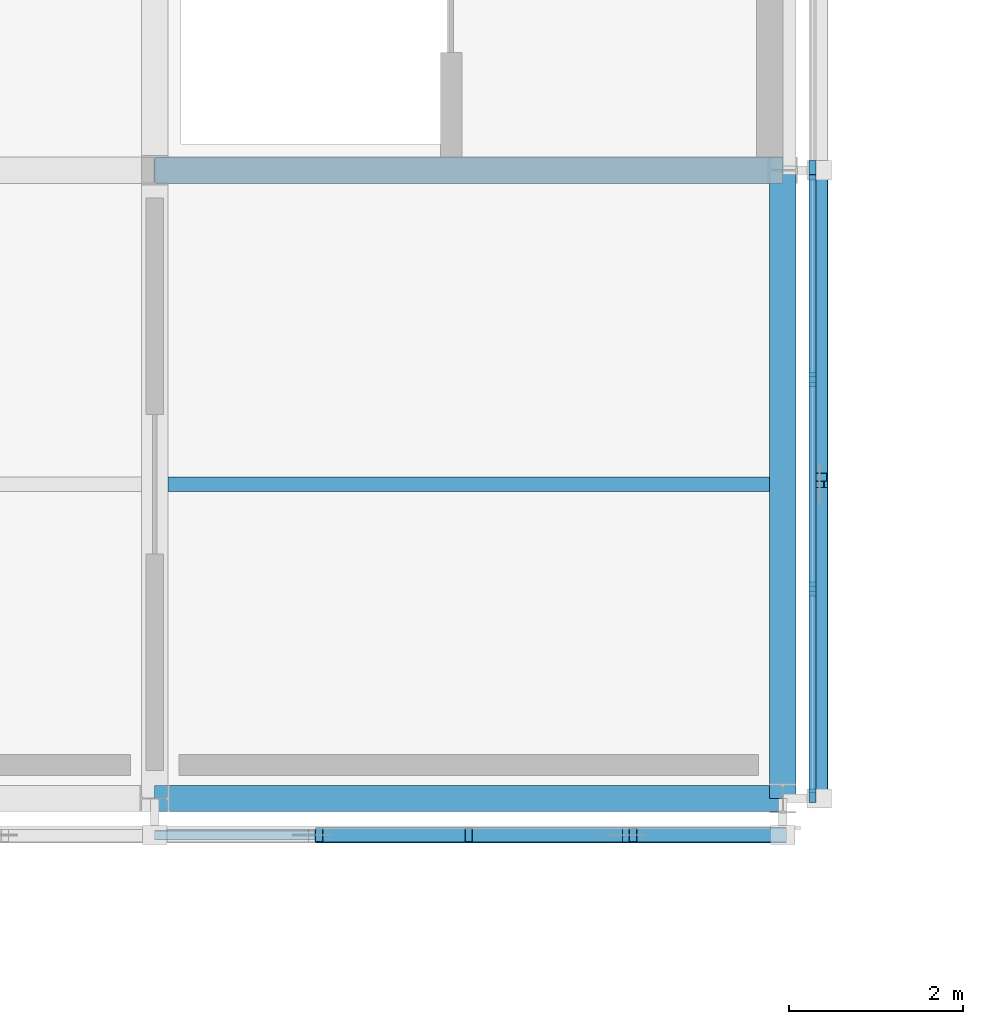
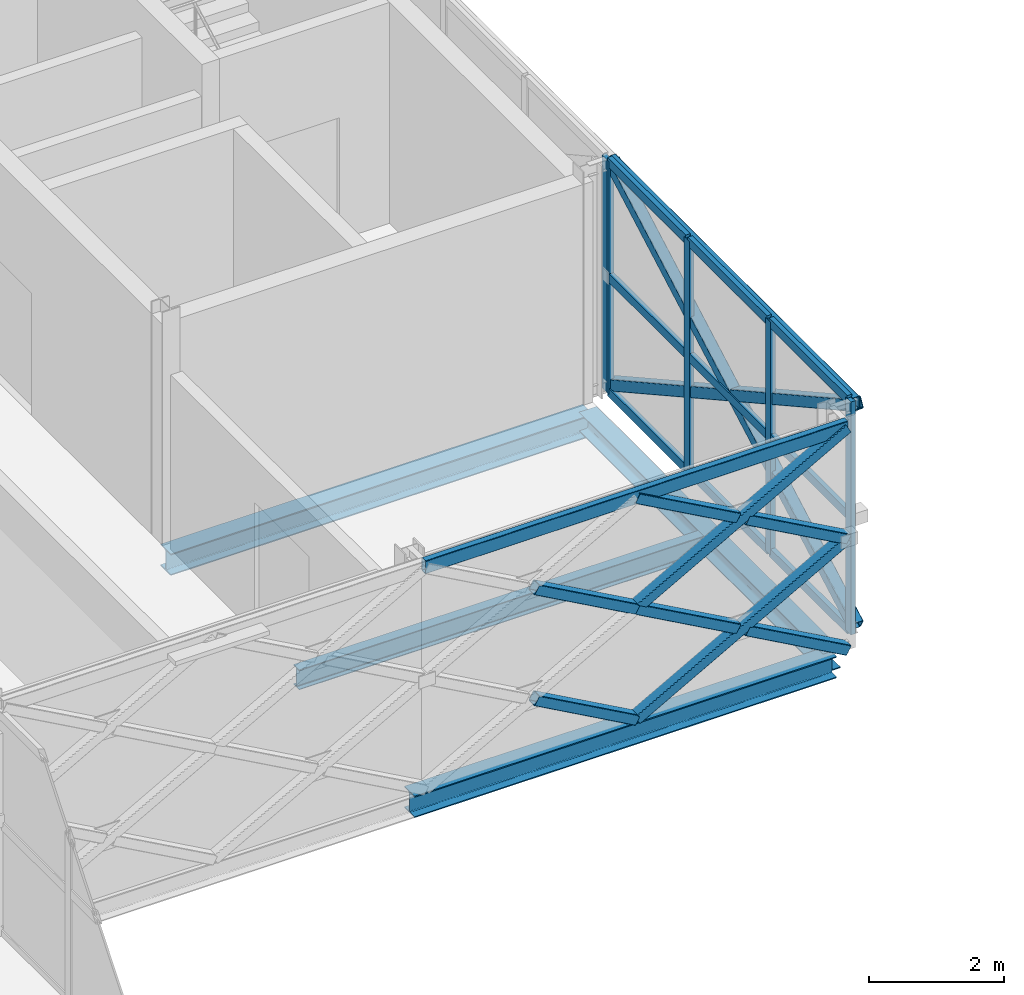
# One storey, part 37 of 146: 27 members, 4 beams, 2 elements without a shape of their own.
"""IFC4 building model written with IfcOpenShell, lengths in metres."""

from ifc_helpers import new_model, si_unit, direction, frame, origin, origin_2d, place, context, subcontext, project, spatial, rectangle, hollow_rectangle, i_section, extrude, material, material_profile, profile_set, type_object, element, aggregate, save


model = new_model("IFC4")

# Units and contexts
model_context = context("Model", 3, precision=1e-05, world=origin(), true_north=direction((0.0, 1.0)))
body_context = subcontext(model_context, "Body", "Model", "MODEL_VIEW")
ifc_project = project(units=[si_unit("LENGTHUNIT", "METRE"), si_unit("AREAUNIT", "SQUARE_METRE"), si_unit("VOLUMEUNIT", "CUBIC_METRE"), si_unit("PLANEANGLEUNIT", "RADIAN"), si_unit("MASSUNIT", "GRAM", prefix="KILO")], contexts=[model_context])

# Site, building, storey
site_placement = place(None, origin())
site = spatial("IfcSite", under=ifc_project, at=site_placement, CompositionType="ELEMENT")
building_placement = place(site_placement, origin())
building = spatial("IfcBuilding", under=site, at=building_placement, Name="Zlatovets Crest Museum", CompositionType="ELEMENT")
storey_placement = place(building_placement, frame((0.0, 0.0, 4.5)))
storey = spatial("IfcBuildingStorey", under=building, at=storey_placement, Name="L01", CompositionType="ELEMENT", Elevation=4.5)

# Beams
ifc_material_1 = material(Name="Structural steel S355J2", Category="steel")
ifc_material_profile_1 = material_profile(ifc_material_1, i_section(OverallWidth=0.300048828125, OverallDepth=0.389892578125, WebThickness=0.010986328125, FlangeThickness=0.01904296875, FilletRadius=0.027099609375, at=origin_2d()), Name="HEA 400")
ifc_profile_set_1 = profile_set([ifc_material_profile_1], Name="Structural steel S355J2")
beam_type_1 = type_object("IfcBeamType", Name="Beam_B-02", PredefinedType="BEAM", material=ifc_profile_set_1)
for number, where, z_axis, x_axis, name in (
    (1, (28.800048828125, 50.39990234375, -0.4150390625), (1.0, 0.0, 0.0), (0.0, 1.0, 0.0), "V4 L01 Primary Girder B-02"),
    (2, (28.800048828125, 57.60009765625, -0.4150390625), (1.0, 0.0, 0.0), (0.0, 1.0, 0.0), "V4 L01 Primary Girder B-02"),
):
    element("IfcBeam", number, at=place(storey_placement, frame(where, z_axis=z_axis, x_axis=x_axis)), inside=storey, type_object=beam_type_1, Name=name, PredefinedType="BEAM", context=body_context, shape_type="SweptSolid", body=[
        extrude(i_section(OverallWidth=0.300048828125, OverallDepth=0.389892578125, WebThickness=0.010986328125, FlangeThickness=0.01904296875, FilletRadius=0.027099609375, at=origin_2d()), origin(), (0.0, 0.0, 1.0), 7.199951171875),
    ])
ifc_material_profile_2 = material_profile(ifc_material_1, i_section(OverallWidth=0.300048828125, OverallDepth=0.35009765625, WebThickness=0.010009765625, FlangeThickness=0.017578125, FilletRadius=0.027099609375, at=origin_2d()), Name="HEA 360")
ifc_profile_set_2 = profile_set([ifc_material_profile_2], Name="Structural steel S355J2")
beam_type_2 = type_object("IfcBeamType", Name="Beam_B-03", PredefinedType="BEAM", material=ifc_profile_set_2)
beam_1_placement = place(storey_placement, frame((36.0, 50.39990234375, -0.39501953125), z_axis=(0.0, 1.0, 0.0), x_axis=(-1.0, 0.0, 0.0)))
element("IfcBeam", 3, at=beam_1_placement, inside=storey, type_object=beam_type_2, Name="V4 L01 Grid Beam B-03", PredefinedType="BEAM", context=body_context, shape_type="SweptSolid", body=[
    extrude(i_section(OverallWidth=0.300048828125, OverallDepth=0.35009765625, WebThickness=0.010009765625, FlangeThickness=0.017578125, FilletRadius=0.027099609375, at=origin_2d()), origin(), (0.0, 0.0, 1.0), 7.2001953125),
])
ifc_material_profile_3 = material_profile(ifc_material_1, i_section(OverallWidth=0.169921875, OverallDepth=0.360107421875, WebThickness=0.008056640625, FlangeThickness=0.0126953125, FilletRadius=0.01806640625, at=origin_2d()), Name="IPE 360")
ifc_profile_set_3 = profile_set([ifc_material_profile_3], Name="Structural steel S355J2")
beam_type_3 = type_object("IfcBeamType", Name="Beam_J-01", PredefinedType="JOIST", material=ifc_profile_set_3)
beam_2_placement = place(storey_placement, frame((28.949951171875, 54.0, -0.39990234375), z_axis=(1.0, 0.0, 0.0), x_axis=(0.0, 1.0, 0.0)))
element("IfcBeam", 4, at=beam_2_placement, inside=storey, type_object=beam_type_3, Name="V4 L01 Composite Joist J-01", PredefinedType="JOIST", context=body_context, shape_type="SweptSolid", body=[
    extrude(i_section(OverallWidth=0.169921875, OverallDepth=0.360107421875, WebThickness=0.008056640625, FlangeThickness=0.0126953125, FilletRadius=0.01806640625, at=origin_2d()), origin(), (0.0, 0.0, 1.0), 6.900146484375),
])

# Curtain wall, members
ifc_material_2 = material(Name="Bronze-anodised aluminium and low-E triple glass", Category="aluminium")
curtain_wall_type_1 = type_object("IfcCurtainWallType", Name="CW_CW-V4-L01-M0", PredefinedType="NOTDEFINED", material=ifc_material_2)
curtain_wall_1_placement = place(storey_placement, origin())
curtain_wall_1 = element("IfcCurtainWall", 5, at=curtain_wall_1_placement, inside=storey, type_object=curtain_wall_type_1, Name="V4 L01 Secession Foyer Clear Curtain Wall", PredefinedType="NOTDEFINED")
ifc_material_3 = material(Name="Bronze-anodised aluminium EN AW-6060", Category="aluminium")
ifc_material_profile_4 = material_profile(ifc_material_3, rectangle(XDim=0.080078125, YDim=0.159912109375, at=origin_2d()), Name="ALU 80x160")
ifc_profile_set_4 = profile_set([ifc_material_profile_4], Name="Bronze-anodised aluminium EN AW-6060")
member_type_1 = type_object("IfcMemberType", Name="CWMull_M1", PredefinedType="MULLION", material=ifc_profile_set_4)
member_1_placement = place(storey_placement, frame((36.340087890625, 50.429931640625, 0.0), z_axis=(0.0, 0.0, 1.0), x_axis=(-1.0, 0.0, 0.0)))
member_1 = element("IfcMember", 6, at=member_1_placement, type_object=member_type_1, Name="CW-V4-L01-M0 mullion 1", PredefinedType="MULLION", context=body_context, shape_type="SweptSolid", body=[
    extrude(rectangle(XDim=0.080078125, YDim=0.159912109375, at=origin_2d()), origin(), (0.0, 0.0, 1.0), 4.199951171875),
])
member_2_placement = place(storey_placement, frame((36.340087890625, 52.800048828125, 0.0), z_axis=(0.0, 0.0, 1.0), x_axis=(-1.0, 0.0, 0.0)))
member_2 = element("IfcMember", 7, at=member_2_placement, type_object=member_type_1, Name="CW-V4-L01-M0 mullion 2", PredefinedType="MULLION", context=body_context, shape_type="SweptSolid", body=[
    extrude(rectangle(XDim=0.080078125, YDim=0.159912109375, at=origin_2d()), origin(), (0.0, 0.0, 1.0), 4.199951171875),
])
member_3_placement = place(storey_placement, frame((36.340087890625, 55.199951171875, 0.0), z_axis=(0.0, 0.0, 1.0), x_axis=(-1.0, 0.0, 0.0)))
member_3 = element("IfcMember", 8, at=member_3_placement, type_object=member_type_1, Name="CW-V4-L01-M0 mullion 3", PredefinedType="MULLION", context=body_context, shape_type="SweptSolid", body=[
    extrude(rectangle(XDim=0.080078125, YDim=0.159912109375, at=origin_2d()), origin(), (0.0, 0.0, 1.0), 4.199951171875),
])
member_4_placement = place(storey_placement, frame((36.340087890625, 57.570068359375, 0.0), z_axis=(0.0, 0.0, 1.0), x_axis=(-1.0, 0.0, 0.0)))
member_4 = element("IfcMember", 9, at=member_4_placement, type_object=member_type_1, Name="CW-V4-L01-M0 mullion 4", PredefinedType="MULLION", context=body_context, shape_type="SweptSolid", body=[
    extrude(rectangle(XDim=0.080078125, YDim=0.159912109375, at=origin_2d()), origin(), (0.0, 0.0, 1.0), 4.199951171875),
])

# Curtain wall, member
curtain_wall_type_2 = type_object("IfcCurtainWallType", Name="CW_CW-V4-L01-M1", PredefinedType="NOTDEFINED", material=ifc_material_2)
curtain_wall_2_placement = place(storey_placement, origin())
curtain_wall_2 = element("IfcCurtainWall", 10, at=curtain_wall_2_placement, inside=storey, type_object=curtain_wall_type_2, Name="V4 L01 Expressed Core Glazed Facade", PredefinedType="NOTDEFINED")
member_5_placement = place(storey_placement, frame((36.340087890625, 57.6298828125, 0.0), z_axis=(0.0, 0.0, 1.0), x_axis=(-1.0, 0.0, 0.0)))
member_5 = element("IfcMember", 11, at=member_5_placement, type_object=member_type_1, Name="CW-V4-L01-M1 mullion 1", PredefinedType="MULLION", context=body_context, shape_type="SweptSolid", body=[
    extrude(rectangle(XDim=0.080078125, YDim=0.159912109375, at=origin_2d()), origin(), (0.0, 0.0, 1.0), 4.199951171875),
])
aggregate(curtain_wall_2, [member_5])

# Member
ifc_material_profile_5 = material_profile(ifc_material_3, rectangle(XDim=0.080078125, YDim=0.159912109375, at=origin_2d()), Name="ALU 80x160")
ifc_profile_set_5 = profile_set([ifc_material_profile_5], Name="Bronze-anodised aluminium EN AW-6060")
member_type_2 = type_object("IfcMemberType", Name="CWTrans_T1", PredefinedType="USERDEFINED", material=ifc_profile_set_5)
member_6_placement = place(storey_placement, frame((36.340087890625, 50.4599609375, 0.030029296875), z_axis=(0.0, 1.0, 0.0), x_axis=(-1.0, 0.0, 0.0)))
member_6 = element("IfcMember", 12, at=member_6_placement, type_object=member_type_2, Name="CW-V4-L01-M0 transom 1.1", ObjectType="TRANSOM", PredefinedType="USERDEFINED", context=body_context, shape_type="SweptSolid", body=[
    extrude(rectangle(XDim=0.080078125, YDim=0.159912109375, at=origin_2d()), origin(), (0.0, 0.0, 1.0), 2.31005859375),
])

member_7_placement = place(storey_placement, frame((36.340087890625, 50.4599609375, 2.10009765625), z_axis=(0.0, 1.0, 0.0), x_axis=(-1.0, 0.0, 0.0)))
member_7 = element("IfcMember", 13, at=member_7_placement, type_object=member_type_2, Name="CW-V4-L01-M0 transom 1.2", ObjectType="TRANSOM", PredefinedType="USERDEFINED", context=body_context, shape_type="SweptSolid", body=[
    extrude(rectangle(XDim=0.080078125, YDim=0.159912109375, at=origin_2d()), origin(), (0.0, 0.0, 1.0), 2.31005859375),
])

member_8_placement = place(storey_placement, frame((36.340087890625, 50.4599609375, 4.169921875), z_axis=(0.0, 1.0, 0.0), x_axis=(-1.0, 0.0, 0.0)))
member_8 = element("IfcMember", 14, at=member_8_placement, type_object=member_type_2, Name="CW-V4-L01-M0 transom 1.3", ObjectType="TRANSOM", PredefinedType="USERDEFINED", context=body_context, shape_type="SweptSolid", body=[
    extrude(rectangle(XDim=0.080078125, YDim=0.159912109375, at=origin_2d()), origin(), (0.0, 0.0, 1.0), 2.31005859375),
])

member_9_placement = place(storey_placement, frame((36.340087890625, 52.830078125, 0.030029296875), z_axis=(0.0, 1.0, 0.0), x_axis=(-1.0, 0.0, 0.0)))
member_9 = element("IfcMember", 15, at=member_9_placement, type_object=member_type_2, Name="CW-V4-L01-M0 transom 2.1", ObjectType="TRANSOM", PredefinedType="USERDEFINED", context=body_context, shape_type="SweptSolid", body=[
    extrude(rectangle(XDim=0.080078125, YDim=0.159912109375, at=origin_2d()), origin(), (0.0, 0.0, 1.0), 2.33984375),
])

member_10_placement = place(storey_placement, frame((36.340087890625, 52.830078125, 2.10009765625), z_axis=(0.0, 1.0, 0.0), x_axis=(-1.0, 0.0, 0.0)))
member_10 = element("IfcMember", 16, at=member_10_placement, type_object=member_type_2, Name="CW-V4-L01-M0 transom 2.2", ObjectType="TRANSOM", PredefinedType="USERDEFINED", context=body_context, shape_type="SweptSolid", body=[
    extrude(rectangle(XDim=0.080078125, YDim=0.159912109375, at=origin_2d()), origin(), (0.0, 0.0, 1.0), 2.33984375),
])

member_11_placement = place(storey_placement, frame((36.340087890625, 52.830078125, 4.169921875), z_axis=(0.0, 1.0, 0.0), x_axis=(-1.0, 0.0, 0.0)))
member_11 = element("IfcMember", 17, at=member_11_placement, type_object=member_type_2, Name="CW-V4-L01-M0 transom 2.3", ObjectType="TRANSOM", PredefinedType="USERDEFINED", context=body_context, shape_type="SweptSolid", body=[
    extrude(rectangle(XDim=0.080078125, YDim=0.159912109375, at=origin_2d()), origin(), (0.0, 0.0, 1.0), 2.33984375),
])

member_12_placement = place(storey_placement, frame((36.340087890625, 55.22998046875, 0.030029296875), z_axis=(0.0, 1.0, 0.0), x_axis=(-1.0, 0.0, 0.0)))
member_12 = element("IfcMember", 18, at=member_12_placement, type_object=member_type_2, Name="CW-V4-L01-M0 transom 3.1", ObjectType="TRANSOM", PredefinedType="USERDEFINED", context=body_context, shape_type="SweptSolid", body=[
    extrude(rectangle(XDim=0.080078125, YDim=0.159912109375, at=origin_2d()), origin(), (0.0, 0.0, 1.0), 2.31005859375),
])

member_13_placement = place(storey_placement, frame((36.340087890625, 55.22998046875, 2.10009765625), z_axis=(0.0, 1.0, 0.0), x_axis=(-1.0, 0.0, 0.0)))
member_13 = element("IfcMember", 19, at=member_13_placement, type_object=member_type_2, Name="CW-V4-L01-M0 transom 3.2", ObjectType="TRANSOM", PredefinedType="USERDEFINED", context=body_context, shape_type="SweptSolid", body=[
    extrude(rectangle(XDim=0.080078125, YDim=0.159912109375, at=origin_2d()), origin(), (0.0, 0.0, 1.0), 2.31005859375),
])

member_14_placement = place(storey_placement, frame((36.340087890625, 55.22998046875, 4.169921875), z_axis=(0.0, 1.0, 0.0), x_axis=(-1.0, 0.0, 0.0)))
member_14 = element("IfcMember", 20, at=member_14_placement, type_object=member_type_2, Name="CW-V4-L01-M0 transom 3.3", ObjectType="TRANSOM", PredefinedType="USERDEFINED", context=body_context, shape_type="SweptSolid", body=[
    extrude(rectangle(XDim=0.080078125, YDim=0.159912109375, at=origin_2d()), origin(), (0.0, 0.0, 1.0), 2.31005859375),
])

aggregate(curtain_wall_1, [member_1, member_2, member_3, member_4, member_6, member_7, member_8, member_9, member_10, member_11, member_12, member_13, member_14])

# Members
ifc_material_4 = material(Name="Weathering bronze-steel S355J2W", Category="steel")
ifc_material_profile_6 = material_profile(ifc_material_4, hollow_rectangle(XDim=0.179931640625, YDim=0.179931640625, WallThickness=0.010009765625, InnerFilletRadius=0.010009765625, OuterFilletRadius=0.02001953125, at=origin_2d()), Name="SHS 180x180x10.0")
ifc_profile_set_6 = profile_set([ifc_material_profile_6], Name="Weathering bronze-steel S355J2W")
member_type_3 = type_object("IfcMemberType", Name="Lattice_XL-01", PredefinedType="BRACE", material=ifc_profile_set_6)
member_15_placement = place(storey_placement, frame((30.68310546875, 49.97998046875, 1.053955078125), z_axis=(0.874139684676, 0.0, -0.48567459443), x_axis=(0.0, 1.0, 0.0)))
element("IfcMember", 21, at=member_15_placement, inside=storey, type_object=member_type_3, Name="Split Crossing Bronze Lattice Diagonal Lower", PredefinedType="BRACE", context=body_context, shape_type="SweptSolid", body=[
    extrude(hollow_rectangle(XDim=0.179931640625, YDim=0.179931640625, WallThickness=0.010009765625, InnerFilletRadius=0.010009765625, OuterFilletRadius=0.02001953125, at=origin_2d()), origin(), (0.0, 0.0, 1.0), 1.9638671875),
])
member_16_placement = place(storey_placement, frame((32.39990234375, 49.97998046875, 0.10009765625), z_axis=(0.874162868644, 0.0, 0.485632864501), x_axis=(0.0, 1.0, 0.0)))
element("IfcMember", 22, at=member_16_placement, inside=storey, type_object=member_type_3, Name="Continuous Bronze Lattice Diagonal", PredefinedType="BRACE", context=body_context, shape_type="SweptSolid", body=[
    extrude(hollow_rectangle(XDim=0.179931640625, YDim=0.179931640625, WallThickness=0.010009765625, InnerFilletRadius=0.010009765625, OuterFilletRadius=0.02001953125, at=origin_2d()), origin(), (0.0, 0.0, 1.0), 4.118408203125),
])
member_17_placement = place(storey_placement, frame((32.39990234375, 49.97998046875, 2.10009765625), z_axis=(0.874116234569, 0.0, -0.48571679862), x_axis=(0.0, 1.0, 0.0)))
element("IfcMember", 23, at=member_17_placement, inside=storey, type_object=member_type_3, Name="Split Crossing Bronze Lattice Diagonal Upper", PredefinedType="BRACE", context=body_context, shape_type="SweptSolid", body=[
    extrude(hollow_rectangle(XDim=0.179931640625, YDim=0.179931640625, WallThickness=0.010009765625, InnerFilletRadius=0.010009765625, OuterFilletRadius=0.02001953125, at=origin_2d()), origin(), (0.0, 0.0, 1.0), 1.96435546875),
])
member_18_placement = place(storey_placement, frame((34.282958984375, 49.97998046875, 1.053955078125), z_axis=(0.874169001841, 0.0, -0.485621824284), x_axis=(0.0, 1.0, 0.0)))
element("IfcMember", 24, at=member_18_placement, inside=storey, type_object=member_type_3, Name="Split Crossing Bronze Lattice Diagonal Lower", PredefinedType="BRACE", context=body_context, shape_type="SweptSolid", body=[
    extrude(hollow_rectangle(XDim=0.179931640625, YDim=0.179931640625, WallThickness=0.010009765625, InnerFilletRadius=0.010009765625, OuterFilletRadius=0.02001953125, at=origin_2d()), origin(), (0.0, 0.0, 1.0), 1.964111328125),
])
member_19_placement = place(storey_placement, frame((30.68310546875, 49.97998046875, 3.053955078125), z_axis=(0.874139684676, 0.0, -0.48567459443), x_axis=(0.0, 1.0, 0.0)))
element("IfcMember", 25, at=member_19_placement, inside=storey, type_object=member_type_3, Name="Split Crossing Bronze Lattice Diagonal Lower", PredefinedType="BRACE", context=body_context, shape_type="SweptSolid", body=[
    extrude(hollow_rectangle(XDim=0.179931640625, YDim=0.179931640625, WallThickness=0.010009765625, InnerFilletRadius=0.010009765625, OuterFilletRadius=0.02001953125, at=origin_2d()), origin(), (0.0, 0.0, 1.0), 1.9638671875),
])
member_20_placement = place(storey_placement, frame((32.39990234375, 49.97998046875, 2.10009765625), z_axis=(0.874162868644, 0.0, 0.485632864501), x_axis=(0.0, 1.0, 0.0)))
element("IfcMember", 26, at=member_20_placement, inside=storey, type_object=member_type_3, Name="Continuous Bronze Lattice Diagonal", PredefinedType="BRACE", context=body_context, shape_type="SweptSolid", body=[
    extrude(hollow_rectangle(XDim=0.179931640625, YDim=0.179931640625, WallThickness=0.010009765625, InnerFilletRadius=0.010009765625, OuterFilletRadius=0.02001953125, at=origin_2d()), origin(), (0.0, 0.0, 1.0), 4.118408203125),
])
member_21_placement = place(storey_placement, frame((32.39990234375, 49.97998046875, 4.10009765625), z_axis=(0.874116234569, 0.0, -0.48571679862), x_axis=(0.0, 1.0, 0.0)))
element("IfcMember", 27, at=member_21_placement, inside=storey, type_object=member_type_3, Name="Split Crossing Bronze Lattice Diagonal Upper", PredefinedType="BRACE", context=body_context, shape_type="SweptSolid", body=[
    extrude(hollow_rectangle(XDim=0.179931640625, YDim=0.179931640625, WallThickness=0.010009765625, InnerFilletRadius=0.010009765625, OuterFilletRadius=0.02001953125, at=origin_2d()), origin(), (0.0, 0.0, 1.0), 1.96435546875),
])
member_22_placement = place(storey_placement, frame((34.282958984375, 49.97998046875, 3.053955078125), z_axis=(0.874169001841, 0.0, -0.485621824284), x_axis=(0.0, 1.0, 0.0)))
element("IfcMember", 28, at=member_22_placement, inside=storey, type_object=member_type_3, Name="Split Crossing Bronze Lattice Diagonal Lower", PredefinedType="BRACE", context=body_context, shape_type="SweptSolid", body=[
    extrude(hollow_rectangle(XDim=0.179931640625, YDim=0.179931640625, WallThickness=0.010009765625, InnerFilletRadius=0.010009765625, OuterFilletRadius=0.02001953125, at=origin_2d()), origin(), (0.0, 0.0, 1.0), 1.964111328125),
])
ifc_material_profile_7 = material_profile(ifc_material_4, hollow_rectangle(XDim=0.199951171875, YDim=0.199951171875, WallThickness=0.012451171875, InnerFilletRadius=0.012451171875, OuterFilletRadius=0.02490234375, at=origin_2d()), Name="SHS 200x200x12.5")
ifc_profile_set_7 = profile_set([ifc_material_profile_7], Name="Weathering bronze-steel S355J2W")
member_type_4 = type_object("IfcMemberType", Name="Lattice_XL-02", PredefinedType="BRACE", material=ifc_profile_set_7)
member_23_placement = place(storey_placement, frame((36.419921875, 50.39990234375, 0.10009765625), z_axis=(0.0, 0.874162868644, 0.485632864501), x_axis=(-1.0, 0.0, 0.0)))
element("IfcMember", 29, at=member_23_placement, inside=storey, type_object=member_type_4, Name="Continuous Bronze Lattice Diagonal", PredefinedType="BRACE", context=body_context, shape_type="SweptSolid", body=[
    extrude(hollow_rectangle(XDim=0.199951171875, YDim=0.199951171875, WallThickness=0.012451171875, InnerFilletRadius=0.012451171875, OuterFilletRadius=0.02490234375, at=origin_2d()), origin(), (0.0, 0.0, 1.0), 8.236572265625),
])
for number, where, z_axis, x_axis, name in (
    (30, (36.419921875, 50.39990234375, 4.10009765625), (0.0, 0.874140102304, -0.485673842763), (-1.0, 0.0, 0.0), "Split Crossing Bronze Lattice Diagonal Upper"),
    (31, (36.419921875, 54.0830078125, 2.053955078125), (0.0, 0.874165862873, -0.485627474703), (-1.0, 0.0, 0.0), "Split Crossing Bronze Lattice Diagonal Lower"),
):
    element("IfcMember", number, at=place(storey_placement, frame(where, z_axis=z_axis, x_axis=x_axis)), inside=storey, type_object=member_type_4, Name=name, PredefinedType="BRACE", context=body_context, shape_type="SweptSolid", body=[
        extrude(hollow_rectangle(XDim=0.199951171875, YDim=0.199951171875, WallThickness=0.012451171875, InnerFilletRadius=0.012451171875, OuterFilletRadius=0.02490234375, at=origin_2d()), origin(), (0.0, 0.0, 1.0), 4.0234375),
    ])
ifc_material_profile_8 = material_profile(ifc_material_4, hollow_rectangle(XDim=0.1201171875, YDim=0.239990234375, WallThickness=0.010009765625, InnerFilletRadius=0.010009765625, OuterFilletRadius=0.02001953125, at=origin_2d()), Name="RHS 120x240x10.0")
ifc_profile_set_8 = profile_set([ifc_material_profile_8], Name="Weathering bronze-steel S355J2W")
member_type_5 = type_object("IfcMemberType", Name="Lattice_XL-04", PredefinedType="CHORD", material=ifc_profile_set_8)
member_24_placement = place(storey_placement, frame((28.800048828125, 49.97998046875, 4.10009765625), z_axis=(1.0, 0.0, 0.0), x_axis=(0.0, 1.0, 0.0)))
element("IfcMember", 32, at=member_24_placement, inside=storey, type_object=member_type_5, Name="Art Nouveau Woven Cage Collector Ring Chord", PredefinedType="CHORD", context=body_context, shape_type="SweptSolid", body=[
    extrude(hollow_rectangle(XDim=0.1201171875, YDim=0.239990234375, WallThickness=0.010009765625, InnerFilletRadius=0.010009765625, OuterFilletRadius=0.02001953125, at=origin_2d()), origin(), (0.0, 0.0, 1.0), 7.199951171875),
])
member_25_placement = place(storey_placement, frame((36.419921875, 50.39990234375, 4.10009765625), z_axis=(0.0, 1.0, 0.0), x_axis=(-1.0, 0.0, 0.0)))
element("IfcMember", 33, at=member_25_placement, inside=storey, type_object=member_type_5, Name="Art Nouveau Woven Cage Collector Ring Chord", PredefinedType="CHORD", context=body_context, shape_type="SweptSolid", body=[
    extrude(hollow_rectangle(XDim=0.1201171875, YDim=0.239990234375, WallThickness=0.010009765625, InnerFilletRadius=0.010009765625, OuterFilletRadius=0.02001953125, at=origin_2d()), origin(), (0.0, 0.0, 1.0), 7.2001953125),
])

save(model, "model.ifc")
